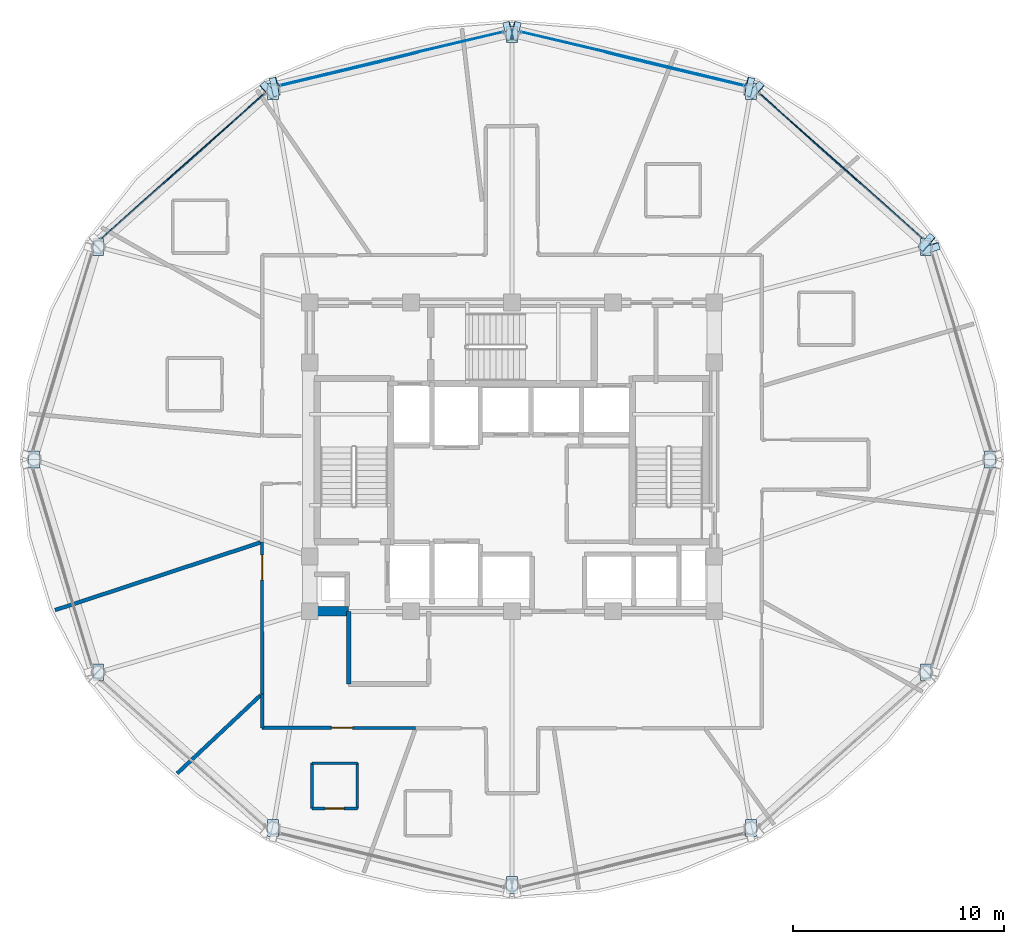
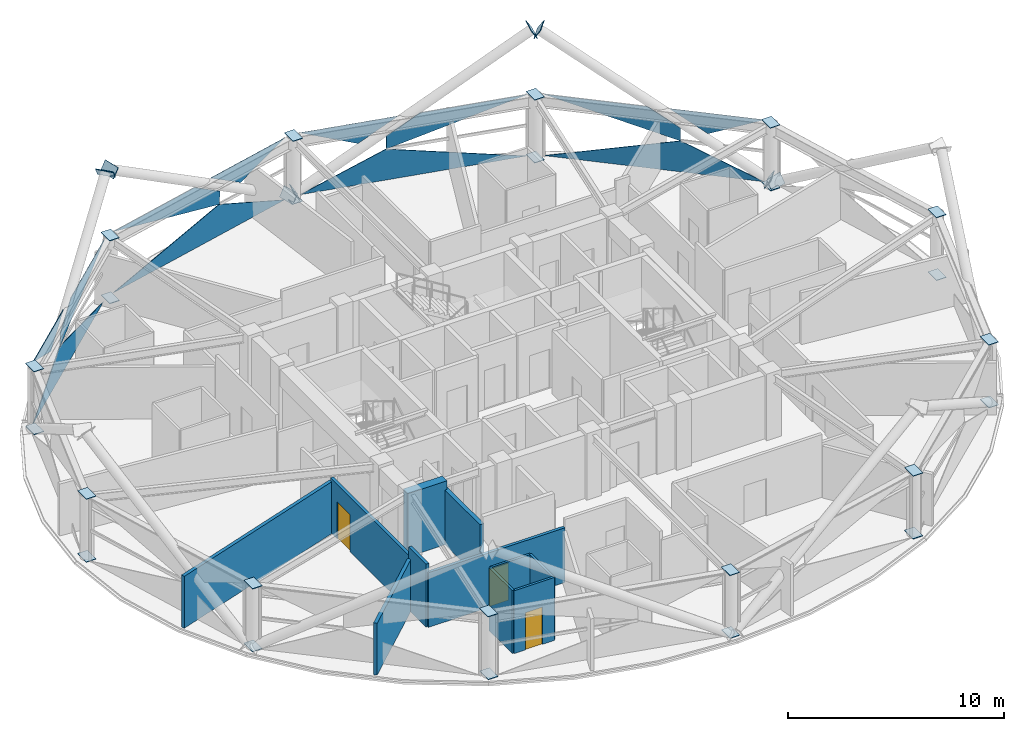
# One storey, part 22 of 30: 44 plates, 11 walls, 3 doors, 3 openings, 4 elements without a shape of their own.
"""IFC4 building model written with IfcOpenShell, lengths in metres."""

from ifc_helpers import new_model, si_unit, direction, frame, frame_2d, origin, place, context, subcontext, project, spatial, polyline, rectangle, outline, extrude, material, layer, layer_set, type_object, element, fill, aggregate, save


model = new_model("IFC4")

# Units and contexts
model_context = context("Model", 3, precision=1e-05, world=origin(), true_north=direction((0.0, 1.0)))
body_context = subcontext(model_context, "Body", "Model", "MODEL_VIEW")
ifc_project = project(units=[si_unit("LENGTHUNIT", "METRE"), si_unit("AREAUNIT", "SQUARE_METRE"), si_unit("VOLUMEUNIT", "CUBIC_METRE"), si_unit("PLANEANGLEUNIT", "RADIAN"), si_unit("MASSUNIT", "GRAM", prefix="KILO")], contexts=[model_context])

# Site, building, storey
site_placement = place(None, origin())
site = spatial("IfcSite", under=ifc_project, at=site_placement, CompositionType="ELEMENT")
building_placement = place(site_placement, origin())
building = spatial("IfcBuilding", under=site, at=building_placement, Name="Vantalir Tower", CompositionType="ELEMENT")
storey_placement = place(building_placement, frame((0.0, 0.0, 189.89990234375)))
storey = spatial("IfcBuildingStorey", under=building, at=storey_placement, Name="L47", CompositionType="ELEMENT", Elevation=189.89990234375)

# Curtain wall, plates
ifc_material_1 = material(Name="Champagne-silver PVDF aluminium and double-silver Low-E glass", Category="aluminium")
ifc_layer_1 = layer(ifc_material_1, 0.2099609375)
ifc_layer_set_1 = layer_set([ifc_layer_1], Name="Champagne-silver PVDF aluminium and double-silver Low-E glass")
curtain_wall_type = type_object("IfcCurtainWallType", Name="CW-DIAMOND-Z3", PredefinedType="USERDEFINED", material=ifc_layer_set_1)
curtain_wall_1_placement = place(storey_placement, origin())
curtain_wall_1 = element("IfcCurtainWall", 1, at=curtain_wall_1_placement, inside=storey, type_object=curtain_wall_type, Name="L47 Quilted Pyramid-Diamond Curtain Wall S02", ObjectType="UNITISED CURTAIN WALL", PredefinedType="USERDEFINED")
ifc_material_2 = material(Name="Double-silver Low-E acoustic glass IGU", Category="glass")
ifc_layer_2 = layer(ifc_material_2, 0.031982421875)
ifc_layer_set_2 = layer_set([ifc_layer_2], Name="Double-silver Low-E acoustic glass IGU")
plate_type_1 = type_object("IfcPlateType", Name="CWP-IGU-32", PredefinedType="CURTAIN_PANEL", material=ifc_layer_set_2)
plate_1_placement = place(storey_placement, frame((50.98583984375, 35.4716796875, 0.046875), z_axis=(-0.665244579189, -0.746503080153, 0.013520398768), x_axis=(-0.746571532091, 0.665305153231, -2.3562302e-05)))
plate_1 = element("IfcPlate", 2, at=plate_1_placement, type_object=plate_type_1, Name="CW-L47-S02 Pyramid Diamond Facet 1L", PredefinedType="CURTAIN_PANEL", context=body_context, shape_type="SweptSolid", body=[
    extrude(outline(polyline([(0.0, 0.0), (10.361492999146593, 4.7704895589362195e-18), (3.9384075303924373, -1.726324811496382), (0.0, 0.0)])), origin(), (0.0, 0.0, -1.0), 0.031982421875),
])
plate_2_placement = place(storey_placement, frame((46.896240234375, 39.115966796875, 3.5234375), z_axis=(0.665226089635, 0.74651876748, 0.013563903159), x_axis=(-0.746587443318, 0.665287298451, -6.31857e-07)))
plate_2 = element("IfcPlate", 3, at=plate_2_placement, type_object=plate_type_1, Name="CW-L47-S02 Pyramid Diamond Facet 2U", PredefinedType="CURTAIN_PANEL", context=body_context, shape_type="SweptSolid", body=[
    extrude(outline(polyline([(0.0, 0.0), (4.8837513509736326, 6.938893903907228e-18), (-1.5392929092653138, -1.7262339944749026), (-1.539244735768572, -0.983004645162473), (0.0, 0.0)])), origin(), (0.0, 0.0, -1.0), 0.031982421875),
])
plate_3_placement = place(storey_placement, frame((51.009765625, 35.49853515625, 3.523681640625), z_axis=(0.665250718427, 0.74649531771, 0.01364632808), x_axis=(-0.746565330812, 0.665312110087, 5.4789764e-05)))
plate_3 = element("IfcPlate", 4, at=plate_3_placement, type_object=plate_type_1, Name="CW-L47-S02 Pyramid Diamond Facet 2U Infill Light", PredefinedType="CURTAIN_PANEL", context=body_context, shape_type="SweptSolid", body=[
    extrude(outline(polyline([(0.0, 0.0), (4.45595317510096, 3.9302328752599536e-18), (2.6422688432372192, -1.1582116028192906), (0.0, 0.0)])), origin(), (0.0, 0.0, -1.0), 0.031982421875),
])
aggregate(curtain_wall_1, [plate_1, plate_2, plate_3])

curtain_wall_2_placement = place(storey_placement, origin())
curtain_wall_2 = element("IfcCurtainWall", 5, at=curtain_wall_2_placement, inside=storey, type_object=curtain_wall_type, Name="L47 Quilted Pyramid-Diamond Curtain Wall S03", ObjectType="UNITISED CURTAIN WALL", PredefinedType="USERDEFINED")
plate_4_placement = place(storey_placement, frame((42.519775390625, 42.746826171875, 0.046630859375), z_axis=(-0.232216660483, -0.972566698325, 0.013763716923), x_axis=(-0.972658761071, 0.232238958857, 2.2388794e-05)))
plate_4 = element("IfcPlate", 6, at=plate_4_placement, type_object=plate_type_1, Name="CW-L47-S03 Pyramid Diamond Facet 1L", PredefinedType="CURTAIN_PANEL", context=body_context, shape_type="SweptSolid", body=[
    extrude(outline(polyline([(0.0, 0.0), (10.904590321916928, -3.7947076036992655e-19), (6.7556953093194325, -1.7265747973905767), (0.0, 0.0)])), origin(), (0.0, 0.0, -1.0), 0.031982421875),
])
plate_5_placement = place(storey_placement, frame((42.519775390625, 42.746826171875, 3.523681640625), z_axis=(0.232210591494, 0.972567829061, 0.013786191413), x_axis=(-0.972660111943, 0.232233297324, -4.7431306e-05)))
plate_5 = element("IfcPlate", 7, at=plate_5_placement, type_object=plate_type_1, Name="CW-L47-S03 Pyramid Diamond Facet 2U", PredefinedType="CURTAIN_PANEL", context=body_context, shape_type="SweptSolid", body=[
    extrude(outline(polyline([(0.0, 0.0), (5.148072607512389, -4.960224939121183e-18), (6.755753025522444, -0.9792648179176363), (6.755738402443058, -1.726406175004286), (0.0, 0.0)])), origin(), (0.0, 0.0, -1.0), 0.031982421875),
])
plate_6_placement = place(storey_placement, frame((36.49267578125, 44.222900390625, 3.52392578125), z_axis=(0.232244864298, 0.972561081245, 0.013684526107), x_axis=(-0.972652157973, 0.232266613165, 0.0)))
plate_6 = element("IfcPlate", 8, at=plate_6_placement, type_object=plate_type_1, Name="CW-L47-S03 Pyramid Diamond Facet 2U Infill Light", PredefinedType="CURTAIN_PANEL", context=body_context, shape_type="SweptSolid", body=[
    extrude(outline(polyline([(0.0, 0.0), (4.699567964155936, 1.734723475976807e-18), (1.9074195960909428, -1.1619740387322766), (0.0, 0.0)])), origin(), (0.0, 0.0, -1.0), 0.031982421875),
])
aggregate(curtain_wall_2, [plate_4, plate_5, plate_6])

curtain_wall_3_placement = place(storey_placement, origin())
curtain_wall_3 = element("IfcCurtainWall", 9, at=curtain_wall_3_placement, inside=storey, type_object=curtain_wall_type, Name="L47 Quilted Pyramid-Diamond Curtain Wall S04", ObjectType="UNITISED CURTAIN WALL", PredefinedType="USERDEFINED")
plate_7_placement = place(storey_placement, frame((31.086669921875, 45.279296875, 0.046875), z_axis=(0.232216660483, -0.972566698325, 0.013763716923), x_axis=(-0.972658761071, -0.232238958857, -2.2388794e-05)))
plate_7 = element("IfcPlate", 10, at=plate_7_placement, type_object=plate_type_1, Name="CW-L47-S04 Pyramid Diamond Facet 1L", PredefinedType="CURTAIN_PANEL", context=body_context, shape_type="SweptSolid", body=[
    extrude(outline(polyline([(0.0, 0.0), (10.904590321916928, 3.7947076036992655e-19), (4.148895012597495, -1.7265747973905767), (0.0, 0.0)])), origin(), (0.0, 0.0, -1.0), 0.031982421875),
])
plate_8_placement = place(storey_placement, frame((25.487548828125, 43.9423828125, 3.5234375), z_axis=(-0.232210591494, 0.972567829061, 0.013786191413), x_axis=(-0.972660111943, -0.232233297324, 4.7431306e-05)))
plate_8 = element("IfcPlate", 11, at=plate_8_placement, type_object=plate_type_1, Name="CW-L47-S04 Pyramid Diamond Facet 2U", PredefinedType="CURTAIN_PANEL", context=body_context, shape_type="SweptSolid", body=[
    extrude(outline(polyline([(0.0, 0.0), (5.148072607512389, 4.960224939121183e-18), (-1.6076657949306692, -1.7264061750042863), (-1.6076804180100557, -0.9792648179176363), (0.0, 0.0)])), origin(), (0.0, 0.0, -1.0), 0.031982421875),
])
plate_9_placement = place(storey_placement, frame((31.078369140625, 45.314453125, 3.52392578125), z_axis=(-0.232244864298, 0.972561081245, 0.013684526107), x_axis=(-0.972652157973, -0.232266613165, 0.0)))
plate_9 = element("IfcPlate", 12, at=plate_9_placement, type_object=plate_type_1, Name="CW-L47-S04 Pyramid Diamond Facet 2U Infill Light", PredefinedType="CURTAIN_PANEL", context=body_context, shape_type="SweptSolid", body=[
    extrude(outline(polyline([(0.0, 0.0), (4.699567964155936, -1.734723475976807e-18), (2.792148368064993, -1.1619740387322766), (0.0, 0.0)])), origin(), (0.0, 0.0, -1.0), 0.031982421875),
])
aggregate(curtain_wall_3, [plate_7, plate_8, plate_9])

curtain_wall_4_placement = place(storey_placement, origin())
curtain_wall_4 = element("IfcCurtainWall", 13, at=curtain_wall_4_placement, inside=storey, type_object=curtain_wall_type, Name="L47 Quilted Pyramid-Diamond Curtain Wall S05", ObjectType="UNITISED CURTAIN WALL", PredefinedType="USERDEFINED")
plate_10_placement = place(storey_placement, frame((19.749755859375, 42.365234375, 0.046630859375), z_axis=(0.665244579189, -0.746503080153, 0.013520398768), x_axis=(-0.746571532091, -0.665305153231, 2.3562302e-05)))
plate_10 = element("IfcPlate", 14, at=plate_10_placement, type_object=plate_type_1, Name="CW-L47-S05 Pyramid Diamond Facet 1L", PredefinedType="CURTAIN_PANEL", context=body_context, shape_type="SweptSolid", body=[
    extrude(outline(polyline([(0.0, 0.0), (10.361492999146593, -4.7704895589362195e-18), (6.423085468754156, -1.726324811496382), (0.0, 0.0)])), origin(), (0.0, 0.0, -1.0), 0.031982421875),
])
plate_11_placement = place(storey_placement, frame((19.749755859375, 42.365234375, 3.5234375), z_axis=(-0.665226089635, 0.74651876748, 0.013563903159), x_axis=(-0.746587443318, -0.665287298451, 6.31857e-07)))
plate_11 = element("IfcPlate", 15, at=plate_11_placement, type_object=plate_type_1, Name="CW-L47-S05 Pyramid Diamond Facet 2U", PredefinedType="CURTAIN_PANEL", context=body_context, shape_type="SweptSolid", body=[
    extrude(outline(polyline([(0.0, 0.0), (4.8837513509736326, -6.938893903907228e-18), (6.422996086742205, -0.983004645162473), (6.423044260238947, -1.7262339944749026), (0.0, 0.0)])), origin(), (0.0, 0.0, -1.0), 0.031982421875),
])
plate_12_placement = place(storey_placement, frame((15.31689453125, 38.463134765625, 3.52392578125), z_axis=(-0.665250718427, 0.74649531771, 0.01364632808), x_axis=(-0.746565330812, -0.665312110087, -5.4789764e-05)))
plate_12 = element("IfcPlate", 16, at=plate_12_placement, type_object=plate_type_1, Name="CW-L47-S05 Pyramid Diamond Facet 2U Infill Light", PredefinedType="CURTAIN_PANEL", context=body_context, shape_type="SweptSolid", body=[
    extrude(outline(polyline([(0.0, 0.0), (4.45595317510096, -3.9302328752599536e-18), (1.8136843318637406, -1.1582116028192908), (0.0, 0.0)])), origin(), (0.0, 0.0, -1.0), 0.031982421875),
])
aggregate(curtain_wall_4, [plate_10, plate_11, plate_12])

# Plates
ifc_material_3 = material(Name="Steel S460", Category="steel")
ifc_layer_3 = layer(ifc_material_3, 0.035888671875)
ifc_layer_set_3 = layer_set([ifc_layer_3], Name="Steel S460")
plate_type_2 = type_object("IfcPlateType", Name="PLT-KN-Z2", PredefinedType="USERDEFINED", material=ifc_layer_set_3)
for number, where, z_axis, x_axis, name in (
    (17, (51.335693359375, 35.749267578125, -0.04150390625), (-0.629128465513, 0.560628041732, 0.538417656383), (-0.665293215937, -0.746582170178, 0.0), "Node Cap Plate MEM-DG-L47-R04L Start"),
    (18, (43.22998046875, 42.97265625, 6.892333984375), (-0.629128465513, 0.560628041732, 0.538417656383), (-0.665293215937, -0.746582170178, 0.0), "Node Cap Plate MEM-DG-L47-R04L End"),
):
    element("IfcPlate", number, at=place(storey_placement, frame(where, z_axis=z_axis, x_axis=x_axis)), inside=storey, type_object=plate_type_2, Name=name, ObjectType="FLANGE_PLATE", PredefinedType="USERDEFINED", context=body_context, shape_type="SweptSolid", body=[
        extrude(outline(polyline([(0.0, 0.0), (0.8799867558024528, 2.7755575615628914e-17), (0.8799834368575088, 0.5800192446545095), (-3.3189449440564434e-06, 0.5800192446545095), (0.0, 0.0)])), origin(), (0.0, 0.0, -1.0), 0.035888671875),
    ])
plate_13_placement = place(storey_placement, frame((50.982666015625, 34.72607421875, -0.033203125), z_axis=(0.238910999387, -0.794528680043, 0.558252372106), x_axis=(0.957642842649, 0.287958653149, 0.0)))
element("IfcPlate", 19, at=plate_13_placement, inside=storey, type_object=plate_type_2, Name="Node Cap Plate MEM-DG-L47-R04R Start", ObjectType="FLANGE_PLATE", PredefinedType="USERDEFINED", context=body_context, shape_type="SweptSolid", body=[
    extrude(outline(polyline([(0.0, 0.0), (0.8800498473614676, 0.0), (0.8800224849608475, 0.5799902126825969), (-2.7362400620206673e-05, 0.5799902126825969), (0.0, 0.0)])), origin(), (0.0, 0.0, -1.0), 0.035888671875),
])
plate_14_placement = place(storey_placement, frame((31.061767578125, 45.7255859375, -0.049072265625), z_axis=(-0.83068700675, -0.19834118518, 0.520211371539), x_axis=(0.232247903057, -0.972656625598, 1.4316335e-05)))
element("IfcPlate", 20, at=plate_14_placement, inside=storey, type_object=plate_type_2, Name="Node Cap Plate MEM-DG-L47-R10L Start", ObjectType="FLANGE_PLATE", PredefinedType="USERDEFINED", context=body_context, shape_type="SweptSolid", body=[
    extrude(outline(polyline([(0.0, 0.0), (0.8797736737259441, -1.3877787807814457e-17), (0.8797830916388361, 0.5800081455483487), (-0.00022804708359186858, 0.5800376450338418), (0.0, 0.0)])), origin(), (0.0, 0.0, -1.0), 0.035888671875),
])
plate_15_placement = place(storey_placement, frame((19.9775390625, 43.0791015625, 6.892578125), z_axis=(-0.830714517152, -0.198319466873, 0.52017572036), x_axis=(0.232208086854, -0.972666132031, 0.0)))
element("IfcPlate", 21, at=plate_15_placement, inside=storey, type_object=plate_type_2, Name="Node Cap Plate MEM-DG-L47-R10L End", ObjectType="FLANGE_PLATE", PredefinedType="USERDEFINED", context=body_context, shape_type="SweptSolid", body=[
    extrude(outline(polyline([(0.0, 0.0), (0.8800111395499287, 1.3877787807814457e-17), (0.8800011152592917, 0.5800081460435234), (-1.002429063711612e-05, 0.5800081460435234), (0.0, 0.0)])), origin(), (0.0, 0.0, -1.0), 0.035888671875),
])
plate_16_placement = place(storey_placement, frame((31.73388671875, 44.869873046875, -0.049072265625), z_axis=(0.83068700675, -0.19834118518, 0.520211371539), x_axis=(0.232247903057, 0.972656625598, -1.4316335e-05)))
element("IfcPlate", 22, at=plate_16_placement, inside=storey, type_object=plate_type_2, Name="Node Cap Plate MEM-DG-L47-R10R Start", ObjectType="FLANGE_PLATE", PredefinedType="USERDEFINED", context=body_context, shape_type="SweptSolid", body=[
    extrude(outline(polyline([(0.0, 0.0), (0.8797736737259441, 1.3877787807814457e-17), (0.880001720809536, 0.5800376450338418), (-9.417912892116755e-06, 0.5800081455483487), (0.0, 0.0)])), origin(), (0.0, 0.0, -1.0), 0.035888671875),
])
plate_17_placement = place(storey_placement, frame((42.818115234375, 42.22314453125, 6.892578125), z_axis=(0.830714517152, -0.198319466873, 0.52017572036), x_axis=(0.232208086854, 0.972666132031, 0.0)))
element("IfcPlate", 23, at=plate_17_placement, inside=storey, type_object=plate_type_2, Name="Node Cap Plate MEM-DG-L47-R10R End", ObjectType="FLANGE_PLATE", PredefinedType="USERDEFINED", context=body_context, shape_type="SweptSolid", body=[
    extrude(outline(polyline([(0.0, 0.0), (0.8800111395499287, -1.3877787807814457e-17), (0.8800211638405658, 0.5800081460435234), (1.002429063711612e-05, 0.5800081460435234), (0.0, 0.0)])), origin(), (0.0, 0.0, -1.0), 0.035888671875),
])
plate_18_placement = place(storey_placement, frame((20.35546875, 42.315673828125, 6.892333984375), z_axis=(0.629128465513, 0.560628041732, 0.538417656383), x_axis=(-0.665293215937, 0.746582170178, 0.0)))
element("IfcPlate", 24, at=plate_18_placement, inside=storey, type_object=plate_type_2, Name="Node Cap Plate MEM-DG-L47-R16R End", ObjectType="FLANGE_PLATE", PredefinedType="USERDEFINED", context=body_context, shape_type="SweptSolid", body=[
    extrude(outline(polyline([(0.0, 0.0), (0.8799867558024528, -2.7755575615628914e-17), (0.8799900747473969, 0.5800192446545094), (3.3189449440564434e-06, 0.5800192446545095), (0.0, 0.0)])), origin(), (0.0, 0.0, -1.0), 0.035888671875),
])
ifc_layer_4 = layer(ifc_material_3, 0.031982421875)
ifc_layer_set_4 = layer_set([ifc_layer_4], Name="Steel S460")
plate_type_3 = type_object("IfcPlateType", Name="PLT-KN-Z3", PredefinedType="USERDEFINED", material=ifc_layer_set_4)
for number, where, z_axis, x_axis, name in (
    (25, (53.916015625, 25.39990234375, 3.593994140625), (0.0, 0.0, 1.0), (0.0, -1.0, 0.0), "L47 Ring Column Top Cap RC01"),
    (26, (53.916015625, 25.39990234375, 0.052978515625), (0.0, 0.0, 1.0), (0.0, -1.0, 0.0), "L47 Ring Column Base Cap RC01"),
    (27, (50.8779296875, 35.493896484375, 3.593994140625), (0.0, 0.0, 1.0), (0.0, -1.0, 0.0), "L47 Ring Column Top Cap RC02"),
    (28, (50.8779296875, 35.493896484375, 0.052978515625), (0.0, 0.0, 1.0), (0.0, -1.0, 0.0), "L47 Ring Column Base Cap RC02"),
):
    element("IfcPlate", number, at=place(storey_placement, frame(where, z_axis=z_axis, x_axis=x_axis)), inside=storey, type_object=plate_type_3, Name=name, ObjectType="FLANGE_PLATE", PredefinedType="USERDEFINED", context=body_context, shape_type="SweptSolid", body=[
        extrude(outline(polyline([(0.0, 0.0), (0.7998046875, 0.0), (0.7998046875, 0.52001953125), (0.0, 0.52001953125), (0.0, 0.0)])), origin(), (0.0, 0.0, -1.0), 0.031982421875),
    ])
for number, where, z_axis, x_axis, name in (
    (29, (42.577880859375, 42.883056640625, 3.593994140625), (0.0, 0.0, 1.0), (0.0, -1.0, 0.0), "L47 Ring Column Top Cap RC03"),
    (30, (42.577880859375, 42.883056640625, 0.052978515625), (0.0, 0.0, 1.0), (0.0, -1.0, 0.0), "L47 Ring Column Base Cap RC03"),
):
    element("IfcPlate", number, at=place(storey_placement, frame(where, z_axis=z_axis, x_axis=x_axis)), inside=storey, type_object=plate_type_3, Name=name, ObjectType="FLANGE_PLATE", PredefinedType="USERDEFINED", context=body_context, shape_type="SweptSolid", body=[
        extrude(outline(polyline([(0.0, 0.0), (0.800048828125, 0.0), (0.800048828125, 0.52001953125), (0.0, 0.52001953125), (0.0, 0.0)])), origin(), (0.0, 0.0, -1.0), 0.031982421875),
    ])
for number, where, z_axis, x_axis, name in (
    (31, (31.239990234375, 45.587890625, 3.593994140625), (0.0, 0.0, 1.0), (0.0, -1.0, 0.0), "L47 Ring Column Top Cap RC04"),
    (32, (31.239990234375, 45.587890625, 0.052978515625), (0.0, 0.0, 1.0), (0.0, -1.0, 0.0), "L47 Ring Column Base Cap RC04"),
):
    element("IfcPlate", number, at=place(storey_placement, frame(where, z_axis=z_axis, x_axis=x_axis)), inside=storey, type_object=plate_type_3, Name=name, ObjectType="FLANGE_PLATE", PredefinedType="USERDEFINED", context=body_context, shape_type="SweptSolid", body=[
        extrude(outline(polyline([(0.0, 0.0), (0.7998046875, 0.0), (0.7998046875, 0.52001953125), (0.0, 0.52001953125), (0.0, 0.0)])), origin(), (0.0, 0.0, -1.0), 0.031982421875),
    ])
for number, where, z_axis, x_axis, name in (
    (33, (19.902099609375, 42.883056640625, 3.593994140625), (0.0, 0.0, 1.0), (0.0, -1.0, 0.0), "L47 Ring Column Top Cap RC05"),
    (34, (19.902099609375, 42.883056640625, 0.052978515625), (0.0, 0.0, 1.0), (0.0, -1.0, 0.0), "L47 Ring Column Base Cap RC05"),
):
    element("IfcPlate", number, at=place(storey_placement, frame(where, z_axis=z_axis, x_axis=x_axis)), inside=storey, type_object=plate_type_3, Name=name, ObjectType="FLANGE_PLATE", PredefinedType="USERDEFINED", context=body_context, shape_type="SweptSolid", body=[
        extrude(outline(polyline([(0.0, 0.0), (0.800048828125, 0.0), (0.800048828125, 0.52001953125), (0.0, 0.52001953125), (0.0, 0.0)])), origin(), (0.0, 0.0, -1.0), 0.031982421875),
    ])
for number, where, z_axis, x_axis, name in (
    (35, (11.60205078125, 35.493896484375, 3.593994140625), (0.0, 0.0, 1.0), (0.0, -1.0, 0.0), "L47 Ring Column Top Cap RC06"),
    (36, (11.60205078125, 35.493896484375, 0.052978515625), (0.0, 0.0, 1.0), (0.0, -1.0, 0.0), "L47 Ring Column Base Cap RC06"),
    (37, (8.56396484375, 25.39990234375, 3.593994140625), (0.0, 0.0, 1.0), (0.0, -1.0, 0.0), "L47 Ring Column Top Cap RC07"),
    (38, (8.56396484375, 25.39990234375, 0.052978515625), (0.0, 0.0, 1.0), (0.0, -1.0, 0.0), "L47 Ring Column Base Cap RC07"),
    (39, (11.60205078125, 15.305908203125, 3.593994140625), (0.0, 0.0, 1.0), (0.0, -1.0, 0.0), "L47 Ring Column Top Cap RC08"),
    (40, (11.60205078125, 15.305908203125, 0.052978515625), (0.0, 0.0, 1.0), (0.0, -1.0, 0.0), "L47 Ring Column Base Cap RC08"),
):
    element("IfcPlate", number, at=place(storey_placement, frame(where, z_axis=z_axis, x_axis=x_axis)), inside=storey, type_object=plate_type_3, Name=name, ObjectType="FLANGE_PLATE", PredefinedType="USERDEFINED", context=body_context, shape_type="SweptSolid", body=[
        extrude(outline(polyline([(0.0, 0.0), (0.7998046875, 0.0), (0.7998046875, 0.52001953125), (0.0, 0.52001953125), (0.0, 0.0)])), origin(), (0.0, 0.0, -1.0), 0.031982421875),
    ])
for number, where, z_axis, x_axis, name in (
    (41, (19.902099609375, 7.9169921875, 3.593994140625), (0.0, 0.0, 1.0), (0.0, -1.0, 0.0), "L47 Ring Column Top Cap RC09"),
    (42, (19.902099609375, 7.9169921875, 0.052978515625), (0.0, 0.0, 1.0), (0.0, -1.0, 0.0), "L47 Ring Column Base Cap RC09"),
):
    element("IfcPlate", number, at=place(storey_placement, frame(where, z_axis=z_axis, x_axis=x_axis)), inside=storey, type_object=plate_type_3, Name=name, ObjectType="FLANGE_PLATE", PredefinedType="USERDEFINED", context=body_context, shape_type="SweptSolid", body=[
        extrude(outline(polyline([(0.0, 0.0), (0.800048828125, 0.0), (0.800048828125, 0.52001953125), (0.0, 0.52001953125), (0.0, 0.0)])), origin(), (0.0, 0.0, -1.0), 0.031982421875),
    ])
for number, where, z_axis, x_axis, name in (
    (43, (31.239990234375, 5.2119140625, 3.593994140625), (0.0, 0.0, 1.0), (0.0, -1.0, 0.0), "L47 Ring Column Top Cap RC10"),
    (44, (31.239990234375, 5.2119140625, 0.052978515625), (0.0, 0.0, 1.0), (0.0, -1.0, 0.0), "L47 Ring Column Base Cap RC10"),
):
    element("IfcPlate", number, at=place(storey_placement, frame(where, z_axis=z_axis, x_axis=x_axis)), inside=storey, type_object=plate_type_3, Name=name, ObjectType="FLANGE_PLATE", PredefinedType="USERDEFINED", context=body_context, shape_type="SweptSolid", body=[
        extrude(outline(polyline([(0.0, 0.0), (0.7998046875, 0.0), (0.7998046875, 0.52001953125), (0.0, 0.52001953125), (0.0, 0.0)])), origin(), (0.0, 0.0, -1.0), 0.031982421875),
    ])
for number, where, z_axis, x_axis, name in (
    (45, (42.577880859375, 7.9169921875, 3.593994140625), (0.0, 0.0, 1.0), (0.0, -1.0, 0.0), "L47 Ring Column Top Cap RC11"),
    (46, (42.577880859375, 7.9169921875, 0.052978515625), (0.0, 0.0, 1.0), (0.0, -1.0, 0.0), "L47 Ring Column Base Cap RC11"),
):
    element("IfcPlate", number, at=place(storey_placement, frame(where, z_axis=z_axis, x_axis=x_axis)), inside=storey, type_object=plate_type_3, Name=name, ObjectType="FLANGE_PLATE", PredefinedType="USERDEFINED", context=body_context, shape_type="SweptSolid", body=[
        extrude(outline(polyline([(0.0, 0.0), (0.800048828125, 0.0), (0.800048828125, 0.52001953125), (0.0, 0.52001953125), (0.0, 0.0)])), origin(), (0.0, 0.0, -1.0), 0.031982421875),
    ])
for number, where, z_axis, x_axis, name in (
    (47, (50.8779296875, 15.305908203125, 3.593994140625), (0.0, 0.0, 1.0), (0.0, -1.0, 0.0), "L47 Ring Column Top Cap RC12"),
    (48, (50.8779296875, 15.305908203125, 0.052978515625), (0.0, 0.0, 1.0), (0.0, -1.0, 0.0), "L47 Ring Column Base Cap RC12"),
):
    element("IfcPlate", number, at=place(storey_placement, frame(where, z_axis=z_axis, x_axis=x_axis)), inside=storey, type_object=plate_type_3, Name=name, ObjectType="FLANGE_PLATE", PredefinedType="USERDEFINED", context=body_context, shape_type="SweptSolid", body=[
        extrude(outline(polyline([(0.0, 0.0), (0.7998046875, 0.0), (0.7998046875, 0.52001953125), (0.0, 0.52001953125), (0.0, 0.0)])), origin(), (0.0, 0.0, -1.0), 0.031982421875),
    ])

# Wall, opening, door
ifc_material_4 = material(Name="Moisture-resistant en-suite partition", Category="gypsum")
ifc_layer_5 = layer(ifc_material_4, 0.125)
ifc_layer_set_5 = layer_set([ifc_layer_5], Name="Moisture-resistant en-suite partition")
wall_type_1 = type_object("IfcWallType", Name="WL-BATH-125", PredefinedType="PARTITIONING", material=ifc_layer_set_5)
wall_1_placement = place(storey_placement, frame((22.009033203125, 8.44091796875, 0.0), z_axis=(0.0, 0.0, 1.0), x_axis=(1.0, 0.0, 0.0)))
wall_1 = element("IfcWall", 49, at=wall_1_placement, inside=storey, type_object=wall_type_1, Name="L47 En-suite 09 South Wall", PredefinedType="PARTITIONING", context=body_context, shape_type="SweptSolid", body=[
    extrude(rectangle(XDim=2.14990234375, YDim=0.125, at=frame_2d((1.074951171875, 0.0))), origin(), (0.0, 0.0, 1.0), 3.550048828125),
])
opening_1_placement = place(wall_1_placement, frame((0.625, 0.0, 0.0)))
opening_1 = element("IfcOpeningElement", 50, at=opening_1_placement, cuts=wall_1, Name="Opening D-WC", PredefinedType="OPENING", context=body_context, shape_type="SweptSolid", body=[
    extrude(rectangle(XDim=0.89990234375, YDim=2.10009765625, at=frame_2d((0.449951171875, 1.050048828125))), frame((0.0, 0.072509765625, 0.0), z_axis=(0.0, -1.0, 0.0), x_axis=(1.0, 0.0, 0.0)), (0.0, 0.0, 1.0), 0.14501953125),
])
ifc_material_5 = material(Name="Moisture-resistant hardwood door", Category="wood")
door_type_1 = type_object("IfcDoorType", Name="DR-ENSUITE-900", OperationType="NOTDEFINED", PredefinedType="DOOR", material=ifc_material_5)
door_1_placement = place(opening_1_placement, origin())
door_1 = element("IfcDoor", 51, at=door_1_placement, inside=storey, type_object=door_type_1, Name="L47 En-suite 09 Door", OperationType="SINGLE_SWING_LEFT", OverallHeight=2.10009765625, OverallWidth=0.89990234375, PredefinedType="DOOR", context=body_context, shape_type="SweptSolid", body=[
    extrude(rectangle(XDim=0.89990234375, YDim=2.10009765625, at=frame_2d((0.449951171875, 1.050048828125))), frame((0.0, 0.02490234375, 0.0), z_axis=(0.0, -1.0, 0.0), x_axis=(1.0, 0.0, 0.0)), (0.0, 0.0, 1.0), 0.050048828125),
])
fill(opening_1, door_1)

# Walls
wall_2_placement = place(storey_placement, frame((22.009033203125, 10.591064453125, 0.0), z_axis=(0.0, 0.0, 1.0), x_axis=(1.0, 0.0, 0.0)))
element("IfcWall", 52, at=wall_2_placement, inside=storey, type_object=wall_type_1, Name="L47 En-suite 09 North Wall", PredefinedType="PARTITIONING", context=body_context, shape_type="SweptSolid", body=[
    extrude(rectangle(XDim=2.14990234375, YDim=0.125, at=frame_2d((1.074951171875, 0.0))), origin(), (0.0, 0.0, 1.0), 3.550048828125),
])
for number, where, z_axis, x_axis, name in (
    (53, (22.009033203125, 8.44091796875, 0.0), (0.0, 0.0, 1.0), (0.0, 1.0, 0.0), "L47 En-suite 09 West Wall"),
    (54, (24.158935546875, 8.44091796875, 0.0), (0.0, 0.0, 1.0), (0.0, 1.0, 0.0), "L47 En-suite 09 East Wall"),
):
    element("IfcWall", number, at=place(storey_placement, frame(where, z_axis=z_axis, x_axis=x_axis)), inside=storey, type_object=wall_type_1, Name=name, PredefinedType="PARTITIONING", context=body_context, shape_type="SweptSolid", body=[
        extrude(rectangle(XDim=2.150146484375, YDim=0.125, at=frame_2d((1.0751953125, 0.0))), origin(), (0.0, 0.0, 1.0), 3.550048828125),
    ])
ifc_material_6 = material(Name="Concrete C50/60", Category="concrete")
ifc_layer_6 = layer(ifc_material_6, 0.449951171875)
ifc_layer_set_6 = layer_set([ifc_layer_6], Name="Concrete C50/60")
wall_type_2 = type_object("IfcWallType", Name="WL-CORE-450", PredefinedType="SHEAR", material=ifc_layer_set_6)
wall_3_placement = place(storey_placement, frame((21.675048828125, 17.800048828125, 0.0), z_axis=(0.0, 0.0, 1.0), x_axis=(1.0, 0.0, 0.0)))
element("IfcWall", 55, at=wall_3_placement, inside=storey, type_object=wall_type_2, Name="L47 Core Shear Wall South-West", PredefinedType="SHEAR", context=body_context, shape_type="SweptSolid", body=[
    extrude(rectangle(XDim=2.074951171875, YDim=0.449951171875, at=frame_2d((1.03759765625, 0.0))), origin(), (0.0, 0.0, 1.0), 3.570068359375),
])

# Wall, opening, door
ifc_material_7 = material(Name="Fire-rated hotel corridor acoustic partition", Category="gypsum")
ifc_layer_7 = layer(ifc_material_7, 0.159912109375)
ifc_layer_set_7 = layer_set([ifc_layer_7], Name="Fire-rated hotel corridor acoustic partition")
wall_type_3 = type_object("IfcWallType", Name="WL-CORR-160", PredefinedType="PARTITIONING", material=ifc_layer_set_7)
wall_4_placement = place(storey_placement, frame((26.926025390625, 12.257080078125, 0.0), z_axis=(0.0, 0.0, 1.0), x_axis=(-0.999998176086, 0.001909928161, 0.0)))
wall_4 = element("IfcWall", 56, at=wall_4_placement, inside=storey, type_object=wall_type_3, Name="L47 Corridor Partition 28", PredefinedType="PARTITIONING", context=body_context, shape_type="SweptSolid", body=[
    extrude(rectangle(XDim=7.2861328125, YDim=0.159912109375, at=frame_2d((3.64306640625, 0.0))), origin(), (0.0, 0.0, 1.0), 3.0810546875),
])
opening_2_placement = place(wall_4_placement, frame((2.993896484375, 0.0, 0.0)))
opening_2 = element("IfcOpeningElement", 57, at=opening_2_placement, cuts=wall_4, Name="Opening D-GUEST", PredefinedType="OPENING", context=body_context, shape_type="SweptSolid", body=[
    extrude(rectangle(XDim=1.0, YDim=2.10009765625, at=frame_2d((0.5, 1.050048828125))), frame((0.0, 0.08984375, 0.0), z_axis=(0.0, -1.0, 0.0), x_axis=(1.0, 0.0, 0.0)), (0.0, 0.0, 1.0), 0.179931640625),
])
ifc_material_8 = material(Name="Solid-core teak veneer acoustic fire door", Category="wood")
door_type_2 = type_object("IfcDoorType", Name="DR-GUEST-ENTRY-1000", OperationType="NOTDEFINED", PredefinedType="DOOR", material=ifc_material_8)
door_2_placement = place(opening_2_placement, origin())
door_2 = element("IfcDoor", 58, at=door_2_placement, inside=storey, type_object=door_type_2, Name="L47 Twin Queen Hotel Room 09 Door", OperationType="SINGLE_SWING_LEFT", OverallHeight=2.10009765625, OverallWidth=1.0, PredefinedType="DOOR", context=body_context, shape_type="SweptSolid", body=[
    extrude(rectangle(XDim=1.0, YDim=2.10009765625, at=frame_2d((0.5, 1.050048828125))), frame((0.0, 0.02490234375, 0.0), z_axis=(0.0, -1.0, 0.0), x_axis=(1.0, 0.0, 0.0)), (0.0, 0.0, 1.0), 0.050048828125),
])
fill(opening_2, door_2)

# Wall
wall_5_placement = place(storey_placement, frame((19.639892578125, 12.27099609375, 0.0), z_axis=(0.0, 0.0, 1.0), x_axis=(-0.000605785138, 0.999999816512, 0.0)))
element("IfcWall", 59, at=wall_5_placement, inside=storey, type_object=wall_type_3, Name="L47 Corridor Partition 29", PredefinedType="PARTITIONING", context=body_context, shape_type="SweptSolid", body=[
    extrude(rectangle(XDim=1.612060546875, YDim=0.159912109375, at=frame_2d((0.80615234375, 0.0))), origin(), (0.0, 0.0, 1.0), 3.550048828125),
])

# Wall, opening, door
wall_6_placement = place(storey_placement, frame((19.638916015625, 13.883056640625, 0.0), z_axis=(0.0, 0.0, 1.0), x_axis=(-0.000406448957, 0.9999999174, 0.0)))
wall_6 = element("IfcWall", 60, at=wall_6_placement, inside=storey, type_object=wall_type_3, Name="L47 Corridor Partition 30", PredefinedType="PARTITIONING", context=body_context, shape_type="SweptSolid", body=[
    extrude(rectangle(XDim=7.2080078125, YDim=0.159912109375, at=frame_2d((3.60400390625, 0.0))), origin(), (0.0, 0.0, 1.0), 3.0810546875),
])
opening_3_placement = place(wall_6_placement, frame((5.39892578125, 0.0, 0.0)))
opening_3 = element("IfcOpeningElement", 61, at=opening_3_placement, cuts=wall_6, Name="Opening D-STE", PredefinedType="OPENING", context=body_context, shape_type="SweptSolid", body=[
    extrude(rectangle(XDim=1.199951171875, YDim=2.10009765625, at=frame_2d((0.60009765625, 1.050048828125))), frame((0.0, 0.08984375, 0.0), z_axis=(0.0, -1.0, 0.0), x_axis=(1.0, 0.0, 0.0)), (0.0, 0.0, 1.0), 0.179931640625),
])
ifc_material_9 = material(Name="Solid-core teak veneer suite entrance door", Category="wood")
door_type_3 = type_object("IfcDoorType", Name="DR-SUITE-ENTRY-1200", OperationType="NOTDEFINED", PredefinedType="DOOR", material=ifc_material_9)
door_3_placement = place(opening_3_placement, origin())
door_3 = element("IfcDoor", 62, at=door_3_placement, inside=storey, type_object=door_type_3, Name="L47 Executive Sky Boardroom 08 Door", OperationType="SINGLE_SWING_RIGHT", OverallHeight=2.10009765625, OverallWidth=1.199951171875, PredefinedType="DOOR", context=body_context, shape_type="SweptSolid", body=[
    extrude(rectangle(XDim=1.199951171875, YDim=2.10009765625, at=frame_2d((0.60009765625, 1.050048828125))), frame((0.0, 0.02490234375, 0.0), z_axis=(0.0, -1.0, 0.0), x_axis=(1.0, 0.0, 0.0)), (0.0, 0.0, 1.0), 0.050048828125),
])
fill(opening_3, door_3)

# Walls
ifc_material_10 = material(Name="Concrete blockwork with fireboard lining", Category="masonry")
ifc_layer_8 = layer(ifc_material_10, 0.219970703125)
ifc_layer_set_8 = layer_set([ifc_layer_8], Name="Concrete blockwork with fireboard lining")
wall_type_4 = type_object("IfcWallType", Name="WL-FFL-220", PredefinedType="PARTITIONING", material=ifc_layer_set_8)
wall_7_placement = place(storey_placement, frame((23.75, 14.35009765625, 0.0), z_axis=(0.0, 0.0, 1.0), x_axis=(0.0, 1.0, 0.0)))
element("IfcWall", 63, at=wall_7_placement, inside=storey, type_object=wall_type_4, Name="L47 Firefighting Lobby West Outer W", PredefinedType="PARTITIONING", context=body_context, shape_type="SweptSolid", body=[
    extrude(rectangle(XDim=3.449951171875, YDim=0.219970703125, at=frame_2d((1.72509765625, 0.0))), origin(), (0.0, 0.0, 1.0), 3.0810546875),
])
ifc_material_11 = material(Name="Twin-stud acoustic fire-rated gypsum partition", Category="gypsum")
ifc_layer_9 = layer(ifc_material_11, 0.179931640625)
ifc_layer_set_9 = layer_set([ifc_layer_9], Name="Twin-stud acoustic fire-rated gypsum partition")
wall_type_5 = type_object("IfcWallType", Name="WL-GUEST-180", PredefinedType="PARTITIONING", material=ifc_layer_set_9)
wall_8_placement = place(storey_placement, frame((19.56005859375, 21.06591796875, 0.0), z_axis=(0.0, 0.0, 1.0), x_axis=(-0.949800437735, -0.312856402328, 0.0)))
element("IfcWall", 64, at=wall_8_placement, inside=storey, type_object=wall_type_5, Name="L47 Radial Suite Partition 08", PredefinedType="PARTITIONING", context=body_context, shape_type="SweptSolid", body=[
    extrude(rectangle(XDim=10.26025390625, YDim=0.179931640625, at=frame_2d((5.130126953125, 0.0))), origin(), (0.0, 0.0, 1.0), 2.925048828125),
])
wall_9_placement = place(storey_placement, frame((19.56005859375, 13.80810546875, 0.0), z_axis=(0.0, 0.0, 1.0), x_axis=(-0.729622985672, -0.683849617079, 0.0)))
element("IfcWall", 65, at=wall_9_placement, inside=storey, type_object=wall_type_5, Name="L47 Radial Suite Partition 09", PredefinedType="PARTITIONING", context=body_context, shape_type="SweptSolid", body=[
    extrude(rectangle(XDim=5.41357421875, YDim=0.179931640625, at=frame_2d((2.706787109375, 0.0))), origin(), (0.0, 0.0, 1.0), 2.925048828125),
])

save(model, "model.ifc")
